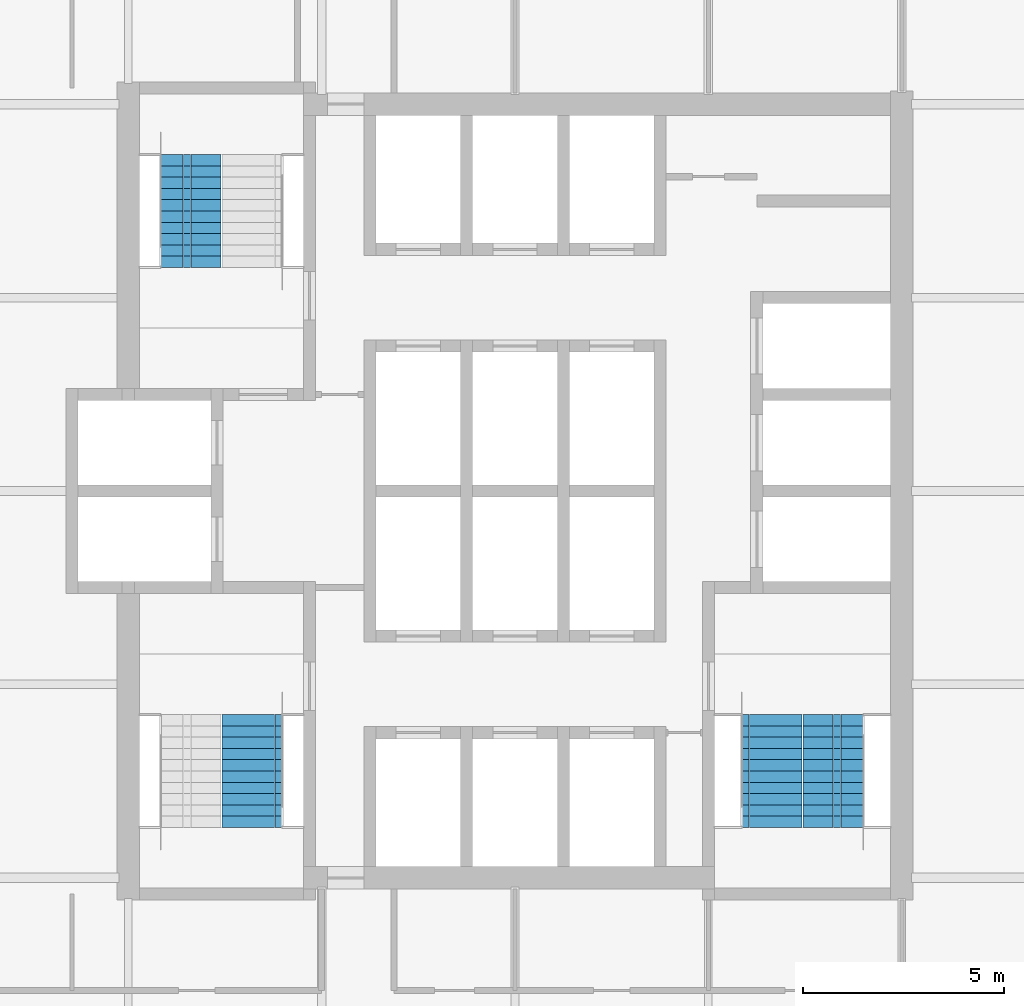
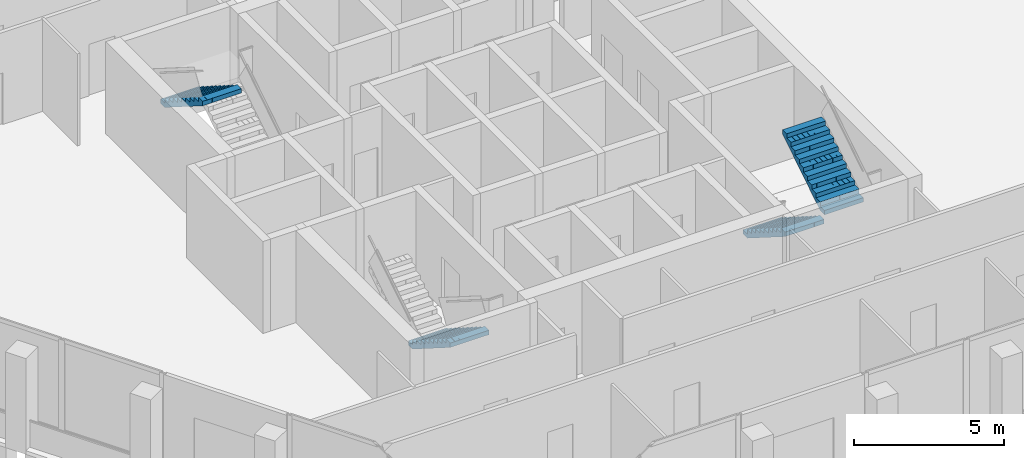
# One storey, part 11 of 14: 4 stair flights, 3 elements without a shape of their own.
"""IFC4 building model written with IfcOpenShell, lengths in metres."""

from ifc_helpers import new_model, si_unit, direction, frame, origin, place, context, subcontext, project, spatial, polyline, outline, extrude, material, type_object, element, aggregate, save


model = new_model("IFC4")

# Units and contexts
model_context = context("Model", 3, precision=1e-05, world=origin(), true_north=direction((0.0, 1.0)))
body_context = subcontext(model_context, "Body", "Model", "MODEL_VIEW")
ifc_project = project(units=[si_unit("LENGTHUNIT", "METRE"), si_unit("AREAUNIT", "SQUARE_METRE"), si_unit("VOLUMEUNIT", "CUBIC_METRE"), si_unit("PLANEANGLEUNIT", "RADIAN"), si_unit("MASSUNIT", "GRAM", prefix="KILO")], contexts=[model_context])

# Site, building, storey
site_placement = place(None, origin())
site = spatial("IfcSite", under=ifc_project, at=site_placement, CompositionType="ELEMENT")
building_placement = place(site_placement, origin())
building = spatial("IfcBuilding", under=site, at=building_placement, Name="Kolab Exchange Tower", CompositionType="ELEMENT")
storey_placement = place(building_placement, frame((0.0, 0.0, 246.199951171875)))
storey = spatial("IfcBuildingStorey", under=building, at=storey_placement, Name="L54", CompositionType="ELEMENT", Elevation=246.199951171875)

# Stair, stair flight
ifc_material = material(Name="Concrete C50/60", Category="concrete")
stair_type_1 = type_object("IfcStairType", Name="STAIR ST1 RISER 177.3", PredefinedType="HALF_TURN_STAIR", material=ifc_material)
stair_1_placement = place(storey_placement, origin())
stair_1 = element("IfcStair", 1, at=stair_1_placement, inside=storey, type_object=stair_type_1, Name="Stair 1", PredefinedType="HALF_TURN_STAIR")
stair_flight_type = type_object("IfcStairFlightType", Name="STAIR FLIGHT 1500 RISER 177.3", PredefinedType="STRAIGHT", material=ifc_material)
stair_flight_1_placement = place(storey_placement, frame((-8.047607421875, 8.35009765625, 1.949951171875), z_axis=(0.0, 0.0, 1.0), x_axis=(0.0, -1.0, 0.0)))
stair_flight_1 = element("IfcStairFlight", 2, at=stair_flight_1_placement, type_object=stair_flight_type, Name="ST1 flight 2", NumberOfRisers=11, NumberOfTreads=10, PredefinedType="STRAIGHT", RiserHeight=0.177272727, TreadLength=0.28, context=body_context, shape_type="SweptSolid", body=[
    extrude(outline(polyline([(0.0, 0.0), (0.0, 0.17724609375), (0.280029296875, 0.17724609375), (0.280029296875, 0.3544921875), (0.56005859375, 0.3544921875), (0.56005859375, 0.53173828125), (0.840087890625, 0.53173828125), (0.840087890625, 0.708984375), (1.1201171875, 0.708984375), (1.1201171875, 0.886474609375), (1.39990234375, 0.886474609375), (1.39990234375, 1.063720703125), (1.679931640625, 1.063720703125), (1.679931640625, 1.240966796875), (1.9599609375, 1.240966796875), (1.9599609375, 1.418212890625), (2.239990234375, 1.418212890625), (2.239990234375, 1.595458984375), (2.52001953125, 1.595458984375), (2.52001953125, 1.772705078125), (2.800048828125, 1.772705078125), (2.800048828125, 1.949951171875), (2.800048828125, 1.59521484375), (0.2802734375, 0.0), (0.0, 0.0)])), frame((0.0, 0.75, 0.0), z_axis=(0.0, -1.0, 0.0), x_axis=(1.0, 0.0, 0.0)), (0.0, 0.0, 1.0), 0.185791015625),
    extrude(outline(polyline([(0.0, 0.0), (0.0, 0.17724609375), (0.280029296875, 0.17724609375), (0.280029296875, 0.3544921875), (0.56005859375, 0.3544921875), (0.56005859375, 0.53173828125), (0.840087890625, 0.53173828125), (0.840087890625, 0.708984375), (1.1201171875, 0.708984375), (1.1201171875, 0.886474609375), (1.39990234375, 0.886474609375), (1.39990234375, 1.063720703125), (1.679931640625, 1.063720703125), (1.679931640625, 1.240966796875), (1.9599609375, 1.240966796875), (1.9599609375, 1.418212890625), (2.239990234375, 1.418212890625), (2.239990234375, 1.595458984375), (2.52001953125, 1.595458984375), (2.52001953125, 1.772705078125), (2.800048828125, 1.772705078125), (2.800048828125, 1.949951171875), (2.800048828125, 1.59521484375), (0.2802734375, 0.0), (0.0, 0.0)])), frame((0.0, 0.562255859375, 0.0), z_axis=(0.0, -1.0, 0.0), x_axis=(1.0, 0.0, 0.0)), (0.0, 0.0, 1.0), 0.185791015625),
    extrude(outline(polyline([(0.0, 0.0), (0.0, 0.17724609375), (0.280029296875, 0.17724609375), (0.280029296875, 0.3544921875), (0.56005859375, 0.3544921875), (0.56005859375, 0.53173828125), (0.840087890625, 0.53173828125), (0.840087890625, 0.708984375), (1.1201171875, 0.708984375), (1.1201171875, 0.886474609375), (1.39990234375, 0.886474609375), (1.39990234375, 1.063720703125), (1.679931640625, 1.063720703125), (1.679931640625, 1.240966796875), (1.9599609375, 1.240966796875), (1.9599609375, 1.418212890625), (2.239990234375, 1.418212890625), (2.239990234375, 1.595458984375), (2.52001953125, 1.595458984375), (2.52001953125, 1.772705078125), (2.800048828125, 1.772705078125), (2.800048828125, 1.949951171875), (2.800048828125, 1.59521484375), (0.2802734375, 0.0), (0.0, 0.0)])), frame((0.0, 0.37451171875, 0.0), z_axis=(0.0, -1.0, 0.0), x_axis=(1.0, 0.0, 0.0)), (0.0, 0.0, 1.0), 0.185791015625),
    extrude(outline(polyline([(0.0, 0.0), (0.0, 0.17724609375), (0.280029296875, 0.17724609375), (0.280029296875, 0.3544921875), (0.56005859375, 0.3544921875), (0.56005859375, 0.53173828125), (0.840087890625, 0.53173828125), (0.840087890625, 0.708984375), (1.1201171875, 0.708984375), (1.1201171875, 0.886474609375), (1.39990234375, 0.886474609375), (1.39990234375, 1.063720703125), (1.679931640625, 1.063720703125), (1.679931640625, 1.240966796875), (1.9599609375, 1.240966796875), (1.9599609375, 1.418212890625), (2.239990234375, 1.418212890625), (2.239990234375, 1.595458984375), (2.52001953125, 1.595458984375), (2.52001953125, 1.772705078125), (2.800048828125, 1.772705078125), (2.800048828125, 1.949951171875), (2.800048828125, 1.59521484375), (0.2802734375, 0.0), (0.0, 0.0)])), frame((0.0, 0.186767578125, 0.0), z_axis=(0.0, -1.0, 0.0), x_axis=(1.0, 0.0, 0.0)), (0.0, 0.0, 1.0), 0.185791015625),
    extrude(outline(polyline([(0.0, 0.0), (0.0, 0.17724609375), (0.280029296875, 0.17724609375), (0.280029296875, 0.3544921875), (0.56005859375, 0.3544921875), (0.56005859375, 0.53173828125), (0.840087890625, 0.53173828125), (0.840087890625, 0.708984375), (1.1201171875, 0.708984375), (1.1201171875, 0.886474609375), (1.39990234375, 0.886474609375), (1.39990234375, 1.063720703125), (1.679931640625, 1.063720703125), (1.679931640625, 1.240966796875), (1.9599609375, 1.240966796875), (1.9599609375, 1.418212890625), (2.239990234375, 1.418212890625), (2.239990234375, 1.595458984375), (2.52001953125, 1.595458984375), (2.52001953125, 1.772705078125), (2.800048828125, 1.772705078125), (2.800048828125, 1.949951171875), (2.800048828125, 1.59521484375), (0.2802734375, 0.0), (0.0, 0.0)])), frame((0.0, -0.0009765625, 0.0), z_axis=(0.0, -1.0, 0.0), x_axis=(1.0, 0.0, 0.0)), (0.0, 0.0, 1.0), 0.185791015625),
    extrude(outline(polyline([(0.0, 0.0), (0.0, 0.17724609375), (0.280029296875, 0.17724609375), (0.280029296875, 0.3544921875), (0.56005859375, 0.3544921875), (0.56005859375, 0.53173828125), (0.840087890625, 0.53173828125), (0.840087890625, 0.708984375), (1.1201171875, 0.708984375), (1.1201171875, 0.886474609375), (1.39990234375, 0.886474609375), (1.39990234375, 1.063720703125), (1.679931640625, 1.063720703125), (1.679931640625, 1.240966796875), (1.9599609375, 1.240966796875), (1.9599609375, 1.418212890625), (2.239990234375, 1.418212890625), (2.239990234375, 1.595458984375), (2.52001953125, 1.595458984375), (2.52001953125, 1.772705078125), (2.800048828125, 1.772705078125), (2.800048828125, 1.949951171875), (2.800048828125, 1.59521484375), (0.2802734375, 0.0), (0.0, 0.0)])), frame((0.0, -0.188720703125, 0.0), z_axis=(0.0, -1.0, 0.0), x_axis=(1.0, 0.0, 0.0)), (0.0, 0.0, 1.0), 0.185791015625),
    extrude(outline(polyline([(0.0, 0.0), (0.0, 0.17724609375), (0.280029296875, 0.17724609375), (0.280029296875, 0.3544921875), (0.56005859375, 0.3544921875), (0.56005859375, 0.53173828125), (0.840087890625, 0.53173828125), (0.840087890625, 0.708984375), (1.1201171875, 0.708984375), (1.1201171875, 0.886474609375), (1.39990234375, 0.886474609375), (1.39990234375, 1.063720703125), (1.679931640625, 1.063720703125), (1.679931640625, 1.240966796875), (1.9599609375, 1.240966796875), (1.9599609375, 1.418212890625), (2.239990234375, 1.418212890625), (2.239990234375, 1.595458984375), (2.52001953125, 1.595458984375), (2.52001953125, 1.772705078125), (2.800048828125, 1.772705078125), (2.800048828125, 1.949951171875), (2.800048828125, 1.59521484375), (0.2802734375, 0.0), (0.0, 0.0)])), frame((0.0, -0.37646484375, 0.0), z_axis=(0.0, -1.0, 0.0), x_axis=(1.0, 0.0, 0.0)), (0.0, 0.0, 1.0), 0.185791015625),
    extrude(outline(polyline([(0.0, 0.0), (0.0, 0.17724609375), (0.280029296875, 0.17724609375), (0.280029296875, 0.3544921875), (0.56005859375, 0.3544921875), (0.56005859375, 0.53173828125), (0.840087890625, 0.53173828125), (0.840087890625, 0.708984375), (1.1201171875, 0.708984375), (1.1201171875, 0.886474609375), (1.39990234375, 0.886474609375), (1.39990234375, 1.063720703125), (1.679931640625, 1.063720703125), (1.679931640625, 1.240966796875), (1.9599609375, 1.240966796875), (1.9599609375, 1.418212890625), (2.239990234375, 1.418212890625), (2.239990234375, 1.595458984375), (2.52001953125, 1.595458984375), (2.52001953125, 1.772705078125), (2.800048828125, 1.772705078125), (2.800048828125, 1.949951171875), (2.800048828125, 1.59521484375), (0.2802734375, 0.0), (0.0, 0.0)])), frame((0.0, -0.564208984375, 0.0), z_axis=(0.0, -1.0, 0.0), x_axis=(1.0, 0.0, 0.0)), (0.0, 0.0, 1.0), 0.185791015625),
])
aggregate(stair_1, [stair_flight_1])

stair_type_2 = type_object("IfcStairType", Name="STAIR ST3 RISER 177.3", PredefinedType="HALF_TURN_STAIR", material=ifc_material)
stair_2_placement = place(storey_placement, origin())
stair_2 = element("IfcStair", 3, at=stair_2_placement, inside=storey, type_object=stair_type_2, Name="Stair 3", PredefinedType="HALF_TURN_STAIR")
stair_flight_2_placement = place(storey_placement, frame((-6.527587890625, -5.550048828125, 0.0), z_axis=(0.0, 0.0, 1.0), x_axis=(0.0, -1.0, 0.0)))
stair_flight_2 = element("IfcStairFlight", 4, at=stair_flight_2_placement, type_object=stair_flight_type, Name="ST3 flight 1", NumberOfRisers=11, NumberOfTreads=10, PredefinedType="STRAIGHT", RiserHeight=0.177272727, TreadLength=0.28, context=body_context, shape_type="SweptSolid", body=[
    extrude(outline(polyline([(0.0, 0.0), (0.0, 0.17724609375), (0.280029296875, 0.17724609375), (0.280029296875, 0.3544921875), (0.56005859375, 0.3544921875), (0.56005859375, 0.53173828125), (0.840087890625, 0.53173828125), (0.840087890625, 0.708984375), (1.1201171875, 0.708984375), (1.1201171875, 0.886474609375), (1.39990234375, 0.886474609375), (1.39990234375, 1.063720703125), (1.679931640625, 1.063720703125), (1.679931640625, 1.240966796875), (1.9599609375, 1.240966796875), (1.9599609375, 1.418212890625), (2.239990234375, 1.418212890625), (2.239990234375, 1.595458984375), (2.52001953125, 1.595458984375), (2.52001953125, 1.772705078125), (2.800048828125, 1.772705078125), (2.800048828125, 1.949951171875), (2.800048828125, 1.59521484375), (0.2802734375, 0.0), (0.0, 0.0)])), frame((0.0, 0.75, 0.0), z_axis=(0.0, -1.0, 0.0), x_axis=(1.0, 0.0, 0.0)), (0.0, 0.0, 1.0), 0.185791015625),
    extrude(outline(polyline([(0.0, 0.0), (0.0, 0.17724609375), (0.280029296875, 0.17724609375), (0.280029296875, 0.3544921875), (0.56005859375, 0.3544921875), (0.56005859375, 0.53173828125), (0.840087890625, 0.53173828125), (0.840087890625, 0.708984375), (1.1201171875, 0.708984375), (1.1201171875, 0.886474609375), (1.39990234375, 0.886474609375), (1.39990234375, 1.063720703125), (1.679931640625, 1.063720703125), (1.679931640625, 1.240966796875), (1.9599609375, 1.240966796875), (1.9599609375, 1.418212890625), (2.239990234375, 1.418212890625), (2.239990234375, 1.595458984375), (2.52001953125, 1.595458984375), (2.52001953125, 1.772705078125), (2.800048828125, 1.772705078125), (2.800048828125, 1.949951171875), (2.800048828125, 1.59521484375), (0.2802734375, 0.0), (0.0, 0.0)])), frame((0.0, 0.562255859375, 0.0), z_axis=(0.0, -1.0, 0.0), x_axis=(1.0, 0.0, 0.0)), (0.0, 0.0, 1.0), 0.185791015625),
    extrude(outline(polyline([(0.0, 0.0), (0.0, 0.17724609375), (0.280029296875, 0.17724609375), (0.280029296875, 0.3544921875), (0.56005859375, 0.3544921875), (0.56005859375, 0.53173828125), (0.840087890625, 0.53173828125), (0.840087890625, 0.708984375), (1.1201171875, 0.708984375), (1.1201171875, 0.886474609375), (1.39990234375, 0.886474609375), (1.39990234375, 1.063720703125), (1.679931640625, 1.063720703125), (1.679931640625, 1.240966796875), (1.9599609375, 1.240966796875), (1.9599609375, 1.418212890625), (2.239990234375, 1.418212890625), (2.239990234375, 1.595458984375), (2.52001953125, 1.595458984375), (2.52001953125, 1.772705078125), (2.800048828125, 1.772705078125), (2.800048828125, 1.949951171875), (2.800048828125, 1.59521484375), (0.2802734375, 0.0), (0.0, 0.0)])), frame((0.0, 0.37451171875, 0.0), z_axis=(0.0, -1.0, 0.0), x_axis=(1.0, 0.0, 0.0)), (0.0, 0.0, 1.0), 0.185791015625),
    extrude(outline(polyline([(0.0, 0.0), (0.0, 0.17724609375), (0.280029296875, 0.17724609375), (0.280029296875, 0.3544921875), (0.56005859375, 0.3544921875), (0.56005859375, 0.53173828125), (0.840087890625, 0.53173828125), (0.840087890625, 0.708984375), (1.1201171875, 0.708984375), (1.1201171875, 0.886474609375), (1.39990234375, 0.886474609375), (1.39990234375, 1.063720703125), (1.679931640625, 1.063720703125), (1.679931640625, 1.240966796875), (1.9599609375, 1.240966796875), (1.9599609375, 1.418212890625), (2.239990234375, 1.418212890625), (2.239990234375, 1.595458984375), (2.52001953125, 1.595458984375), (2.52001953125, 1.772705078125), (2.800048828125, 1.772705078125), (2.800048828125, 1.949951171875), (2.800048828125, 1.59521484375), (0.2802734375, 0.0), (0.0, 0.0)])), frame((0.0, 0.186767578125, 0.0), z_axis=(0.0, -1.0, 0.0), x_axis=(1.0, 0.0, 0.0)), (0.0, 0.0, 1.0), 0.185791015625),
    extrude(outline(polyline([(0.0, 0.0), (0.0, 0.17724609375), (0.280029296875, 0.17724609375), (0.280029296875, 0.3544921875), (0.56005859375, 0.3544921875), (0.56005859375, 0.53173828125), (0.840087890625, 0.53173828125), (0.840087890625, 0.708984375), (1.1201171875, 0.708984375), (1.1201171875, 0.886474609375), (1.39990234375, 0.886474609375), (1.39990234375, 1.063720703125), (1.679931640625, 1.063720703125), (1.679931640625, 1.240966796875), (1.9599609375, 1.240966796875), (1.9599609375, 1.418212890625), (2.239990234375, 1.418212890625), (2.239990234375, 1.595458984375), (2.52001953125, 1.595458984375), (2.52001953125, 1.772705078125), (2.800048828125, 1.772705078125), (2.800048828125, 1.949951171875), (2.800048828125, 1.59521484375), (0.2802734375, 0.0), (0.0, 0.0)])), frame((0.0, -0.0009765625, 0.0), z_axis=(0.0, -1.0, 0.0), x_axis=(1.0, 0.0, 0.0)), (0.0, 0.0, 1.0), 0.185791015625),
    extrude(outline(polyline([(0.0, 0.0), (0.0, 0.17724609375), (0.280029296875, 0.17724609375), (0.280029296875, 0.3544921875), (0.56005859375, 0.3544921875), (0.56005859375, 0.53173828125), (0.840087890625, 0.53173828125), (0.840087890625, 0.708984375), (1.1201171875, 0.708984375), (1.1201171875, 0.886474609375), (1.39990234375, 0.886474609375), (1.39990234375, 1.063720703125), (1.679931640625, 1.063720703125), (1.679931640625, 1.240966796875), (1.9599609375, 1.240966796875), (1.9599609375, 1.418212890625), (2.239990234375, 1.418212890625), (2.239990234375, 1.595458984375), (2.52001953125, 1.595458984375), (2.52001953125, 1.772705078125), (2.800048828125, 1.772705078125), (2.800048828125, 1.949951171875), (2.800048828125, 1.59521484375), (0.2802734375, 0.0), (0.0, 0.0)])), frame((0.0, -0.188720703125, 0.0), z_axis=(0.0, -1.0, 0.0), x_axis=(1.0, 0.0, 0.0)), (0.0, 0.0, 1.0), 0.185791015625),
    extrude(outline(polyline([(0.0, 0.0), (0.0, 0.17724609375), (0.280029296875, 0.17724609375), (0.280029296875, 0.3544921875), (0.56005859375, 0.3544921875), (0.56005859375, 0.53173828125), (0.840087890625, 0.53173828125), (0.840087890625, 0.708984375), (1.1201171875, 0.708984375), (1.1201171875, 0.886474609375), (1.39990234375, 0.886474609375), (1.39990234375, 1.063720703125), (1.679931640625, 1.063720703125), (1.679931640625, 1.240966796875), (1.9599609375, 1.240966796875), (1.9599609375, 1.418212890625), (2.239990234375, 1.418212890625), (2.239990234375, 1.595458984375), (2.52001953125, 1.595458984375), (2.52001953125, 1.772705078125), (2.800048828125, 1.772705078125), (2.800048828125, 1.949951171875), (2.800048828125, 1.59521484375), (0.2802734375, 0.0), (0.0, 0.0)])), frame((0.0, -0.37646484375, 0.0), z_axis=(0.0, -1.0, 0.0), x_axis=(1.0, 0.0, 0.0)), (0.0, 0.0, 1.0), 0.185791015625),
    extrude(outline(polyline([(0.0, 0.0), (0.0, 0.17724609375), (0.280029296875, 0.17724609375), (0.280029296875, 0.3544921875), (0.56005859375, 0.3544921875), (0.56005859375, 0.53173828125), (0.840087890625, 0.53173828125), (0.840087890625, 0.708984375), (1.1201171875, 0.708984375), (1.1201171875, 0.886474609375), (1.39990234375, 0.886474609375), (1.39990234375, 1.063720703125), (1.679931640625, 1.063720703125), (1.679931640625, 1.240966796875), (1.9599609375, 1.240966796875), (1.9599609375, 1.418212890625), (2.239990234375, 1.418212890625), (2.239990234375, 1.595458984375), (2.52001953125, 1.595458984375), (2.52001953125, 1.772705078125), (2.800048828125, 1.772705078125), (2.800048828125, 1.949951171875), (2.800048828125, 1.59521484375), (0.2802734375, 0.0), (0.0, 0.0)])), frame((0.0, -0.564208984375, 0.0), z_axis=(0.0, -1.0, 0.0), x_axis=(1.0, 0.0, 0.0)), (0.0, 0.0, 1.0), 0.185791015625),
])
aggregate(stair_2, [stair_flight_2])

# Stair, stair flights
stair_type_3 = type_object("IfcStairType", Name="STAIR ST2 RISER 177.3", PredefinedType="HALF_TURN_STAIR", material=ifc_material)
stair_3_placement = place(storey_placement, origin())
stair_3 = element("IfcStair", 5, at=stair_3_placement, inside=storey, type_object=stair_type_3, Name="Stair 2", PredefinedType="HALF_TURN_STAIR")
stair_flight_3_placement = place(storey_placement, frame((6.37744140625, -5.550048828125, 0.0), z_axis=(0.0, 0.0, 1.0), x_axis=(0.0, -1.0, 0.0)))
stair_flight_3 = element("IfcStairFlight", 6, at=stair_flight_3_placement, type_object=stair_flight_type, Name="ST2 flight 1", NumberOfRisers=11, NumberOfTreads=10, PredefinedType="STRAIGHT", RiserHeight=0.177272727, TreadLength=0.28, context=body_context, shape_type="SweptSolid", body=[
    extrude(outline(polyline([(0.0, 0.0), (0.0, 0.17724609375), (0.280029296875, 0.17724609375), (0.280029296875, 0.3544921875), (0.56005859375, 0.3544921875), (0.56005859375, 0.53173828125), (0.840087890625, 0.53173828125), (0.840087890625, 0.708984375), (1.1201171875, 0.708984375), (1.1201171875, 0.886474609375), (1.39990234375, 0.886474609375), (1.39990234375, 1.063720703125), (1.679931640625, 1.063720703125), (1.679931640625, 1.240966796875), (1.9599609375, 1.240966796875), (1.9599609375, 1.418212890625), (2.239990234375, 1.418212890625), (2.239990234375, 1.595458984375), (2.52001953125, 1.595458984375), (2.52001953125, 1.772705078125), (2.800048828125, 1.772705078125), (2.800048828125, 1.949951171875), (2.800048828125, 1.59521484375), (0.2802734375, 0.0), (0.0, 0.0)])), frame((0.0, 0.75, 0.0), z_axis=(0.0, -1.0, 0.0), x_axis=(1.0, 0.0, 0.0)), (0.0, 0.0, 1.0), 0.185791015625),
    extrude(outline(polyline([(0.0, 0.0), (0.0, 0.17724609375), (0.280029296875, 0.17724609375), (0.280029296875, 0.3544921875), (0.56005859375, 0.3544921875), (0.56005859375, 0.53173828125), (0.840087890625, 0.53173828125), (0.840087890625, 0.708984375), (1.1201171875, 0.708984375), (1.1201171875, 0.886474609375), (1.39990234375, 0.886474609375), (1.39990234375, 1.063720703125), (1.679931640625, 1.063720703125), (1.679931640625, 1.240966796875), (1.9599609375, 1.240966796875), (1.9599609375, 1.418212890625), (2.239990234375, 1.418212890625), (2.239990234375, 1.595458984375), (2.52001953125, 1.595458984375), (2.52001953125, 1.772705078125), (2.800048828125, 1.772705078125), (2.800048828125, 1.949951171875), (2.800048828125, 1.59521484375), (0.2802734375, 0.0), (0.0, 0.0)])), frame((0.0, 0.562255859375, 0.0), z_axis=(0.0, -1.0, 0.0), x_axis=(1.0, 0.0, 0.0)), (0.0, 0.0, 1.0), 0.185791015625),
    extrude(outline(polyline([(0.0, 0.0), (0.0, 0.17724609375), (0.280029296875, 0.17724609375), (0.280029296875, 0.3544921875), (0.56005859375, 0.3544921875), (0.56005859375, 0.53173828125), (0.840087890625, 0.53173828125), (0.840087890625, 0.708984375), (1.1201171875, 0.708984375), (1.1201171875, 0.886474609375), (1.39990234375, 0.886474609375), (1.39990234375, 1.063720703125), (1.679931640625, 1.063720703125), (1.679931640625, 1.240966796875), (1.9599609375, 1.240966796875), (1.9599609375, 1.418212890625), (2.239990234375, 1.418212890625), (2.239990234375, 1.595458984375), (2.52001953125, 1.595458984375), (2.52001953125, 1.772705078125), (2.800048828125, 1.772705078125), (2.800048828125, 1.949951171875), (2.800048828125, 1.59521484375), (0.2802734375, 0.0), (0.0, 0.0)])), frame((0.0, 0.37451171875, 0.0), z_axis=(0.0, -1.0, 0.0), x_axis=(1.0, 0.0, 0.0)), (0.0, 0.0, 1.0), 0.185791015625),
    extrude(outline(polyline([(0.0, 0.0), (0.0, 0.17724609375), (0.280029296875, 0.17724609375), (0.280029296875, 0.3544921875), (0.56005859375, 0.3544921875), (0.56005859375, 0.53173828125), (0.840087890625, 0.53173828125), (0.840087890625, 0.708984375), (1.1201171875, 0.708984375), (1.1201171875, 0.886474609375), (1.39990234375, 0.886474609375), (1.39990234375, 1.063720703125), (1.679931640625, 1.063720703125), (1.679931640625, 1.240966796875), (1.9599609375, 1.240966796875), (1.9599609375, 1.418212890625), (2.239990234375, 1.418212890625), (2.239990234375, 1.595458984375), (2.52001953125, 1.595458984375), (2.52001953125, 1.772705078125), (2.800048828125, 1.772705078125), (2.800048828125, 1.949951171875), (2.800048828125, 1.59521484375), (0.2802734375, 0.0), (0.0, 0.0)])), frame((0.0, 0.186767578125, 0.0), z_axis=(0.0, -1.0, 0.0), x_axis=(1.0, 0.0, 0.0)), (0.0, 0.0, 1.0), 0.185791015625),
    extrude(outline(polyline([(0.0, 0.0), (0.0, 0.17724609375), (0.280029296875, 0.17724609375), (0.280029296875, 0.3544921875), (0.56005859375, 0.3544921875), (0.56005859375, 0.53173828125), (0.840087890625, 0.53173828125), (0.840087890625, 0.708984375), (1.1201171875, 0.708984375), (1.1201171875, 0.886474609375), (1.39990234375, 0.886474609375), (1.39990234375, 1.063720703125), (1.679931640625, 1.063720703125), (1.679931640625, 1.240966796875), (1.9599609375, 1.240966796875), (1.9599609375, 1.418212890625), (2.239990234375, 1.418212890625), (2.239990234375, 1.595458984375), (2.52001953125, 1.595458984375), (2.52001953125, 1.772705078125), (2.800048828125, 1.772705078125), (2.800048828125, 1.949951171875), (2.800048828125, 1.59521484375), (0.2802734375, 0.0), (0.0, 0.0)])), frame((0.0, -0.0009765625, 0.0), z_axis=(0.0, -1.0, 0.0), x_axis=(1.0, 0.0, 0.0)), (0.0, 0.0, 1.0), 0.185791015625),
    extrude(outline(polyline([(0.0, 0.0), (0.0, 0.17724609375), (0.280029296875, 0.17724609375), (0.280029296875, 0.3544921875), (0.56005859375, 0.3544921875), (0.56005859375, 0.53173828125), (0.840087890625, 0.53173828125), (0.840087890625, 0.708984375), (1.1201171875, 0.708984375), (1.1201171875, 0.886474609375), (1.39990234375, 0.886474609375), (1.39990234375, 1.063720703125), (1.679931640625, 1.063720703125), (1.679931640625, 1.240966796875), (1.9599609375, 1.240966796875), (1.9599609375, 1.418212890625), (2.239990234375, 1.418212890625), (2.239990234375, 1.595458984375), (2.52001953125, 1.595458984375), (2.52001953125, 1.772705078125), (2.800048828125, 1.772705078125), (2.800048828125, 1.949951171875), (2.800048828125, 1.59521484375), (0.2802734375, 0.0), (0.0, 0.0)])), frame((0.0, -0.188720703125, 0.0), z_axis=(0.0, -1.0, 0.0), x_axis=(1.0, 0.0, 0.0)), (0.0, 0.0, 1.0), 0.185791015625),
    extrude(outline(polyline([(0.0, 0.0), (0.0, 0.17724609375), (0.280029296875, 0.17724609375), (0.280029296875, 0.3544921875), (0.56005859375, 0.3544921875), (0.56005859375, 0.53173828125), (0.840087890625, 0.53173828125), (0.840087890625, 0.708984375), (1.1201171875, 0.708984375), (1.1201171875, 0.886474609375), (1.39990234375, 0.886474609375), (1.39990234375, 1.063720703125), (1.679931640625, 1.063720703125), (1.679931640625, 1.240966796875), (1.9599609375, 1.240966796875), (1.9599609375, 1.418212890625), (2.239990234375, 1.418212890625), (2.239990234375, 1.595458984375), (2.52001953125, 1.595458984375), (2.52001953125, 1.772705078125), (2.800048828125, 1.772705078125), (2.800048828125, 1.949951171875), (2.800048828125, 1.59521484375), (0.2802734375, 0.0), (0.0, 0.0)])), frame((0.0, -0.37646484375, 0.0), z_axis=(0.0, -1.0, 0.0), x_axis=(1.0, 0.0, 0.0)), (0.0, 0.0, 1.0), 0.185791015625),
    extrude(outline(polyline([(0.0, 0.0), (0.0, 0.17724609375), (0.280029296875, 0.17724609375), (0.280029296875, 0.3544921875), (0.56005859375, 0.3544921875), (0.56005859375, 0.53173828125), (0.840087890625, 0.53173828125), (0.840087890625, 0.708984375), (1.1201171875, 0.708984375), (1.1201171875, 0.886474609375), (1.39990234375, 0.886474609375), (1.39990234375, 1.063720703125), (1.679931640625, 1.063720703125), (1.679931640625, 1.240966796875), (1.9599609375, 1.240966796875), (1.9599609375, 1.418212890625), (2.239990234375, 1.418212890625), (2.239990234375, 1.595458984375), (2.52001953125, 1.595458984375), (2.52001953125, 1.772705078125), (2.800048828125, 1.772705078125), (2.800048828125, 1.949951171875), (2.800048828125, 1.59521484375), (0.2802734375, 0.0), (0.0, 0.0)])), frame((0.0, -0.564208984375, 0.0), z_axis=(0.0, -1.0, 0.0), x_axis=(1.0, 0.0, 0.0)), (0.0, 0.0, 1.0), 0.185791015625),
])
stair_flight_4_placement = place(storey_placement, frame((7.8974609375, -8.35009765625, 1.949951171875), z_axis=(0.0, 0.0, 1.0), x_axis=(0.0, 1.0, 0.0)))
stair_flight_4 = element("IfcStairFlight", 7, at=stair_flight_4_placement, type_object=stair_flight_type, Name="ST2 flight 2", NumberOfRisers=11, NumberOfTreads=10, PredefinedType="STRAIGHT", RiserHeight=0.177272727, TreadLength=0.28, context=body_context, shape_type="SweptSolid", body=[
    extrude(outline(polyline([(0.0, 0.0), (0.0, 0.17724609375), (0.280029296875, 0.17724609375), (0.280029296875, 0.3544921875), (0.56005859375, 0.3544921875), (0.56005859375, 0.53173828125), (0.840087890625, 0.53173828125), (0.840087890625, 0.708984375), (1.1201171875, 0.708984375), (1.1201171875, 0.886474609375), (1.39990234375, 0.886474609375), (1.39990234375, 1.063720703125), (1.679931640625, 1.063720703125), (1.679931640625, 1.240966796875), (1.9599609375, 1.240966796875), (1.9599609375, 1.418212890625), (2.239990234375, 1.418212890625), (2.239990234375, 1.595458984375), (2.52001953125, 1.595458984375), (2.52001953125, 1.772705078125), (2.800048828125, 1.772705078125), (2.800048828125, 1.949951171875), (2.800048828125, 1.59521484375), (0.2802734375, 0.0), (0.0, 0.0)])), frame((0.0, 0.75, 0.0), z_axis=(0.0, -1.0, 0.0), x_axis=(1.0, 0.0, 0.0)), (0.0, 0.0, 1.0), 0.185791015625),
    extrude(outline(polyline([(0.0, 0.0), (0.0, 0.17724609375), (0.280029296875, 0.17724609375), (0.280029296875, 0.3544921875), (0.56005859375, 0.3544921875), (0.56005859375, 0.53173828125), (0.840087890625, 0.53173828125), (0.840087890625, 0.708984375), (1.1201171875, 0.708984375), (1.1201171875, 0.886474609375), (1.39990234375, 0.886474609375), (1.39990234375, 1.063720703125), (1.679931640625, 1.063720703125), (1.679931640625, 1.240966796875), (1.9599609375, 1.240966796875), (1.9599609375, 1.418212890625), (2.239990234375, 1.418212890625), (2.239990234375, 1.595458984375), (2.52001953125, 1.595458984375), (2.52001953125, 1.772705078125), (2.800048828125, 1.772705078125), (2.800048828125, 1.949951171875), (2.800048828125, 1.59521484375), (0.2802734375, 0.0), (0.0, 0.0)])), frame((0.0, 0.562255859375, 0.0), z_axis=(0.0, -1.0, 0.0), x_axis=(1.0, 0.0, 0.0)), (0.0, 0.0, 1.0), 0.185791015625),
    extrude(outline(polyline([(0.0, 0.0), (0.0, 0.17724609375), (0.280029296875, 0.17724609375), (0.280029296875, 0.3544921875), (0.56005859375, 0.3544921875), (0.56005859375, 0.53173828125), (0.840087890625, 0.53173828125), (0.840087890625, 0.708984375), (1.1201171875, 0.708984375), (1.1201171875, 0.886474609375), (1.39990234375, 0.886474609375), (1.39990234375, 1.063720703125), (1.679931640625, 1.063720703125), (1.679931640625, 1.240966796875), (1.9599609375, 1.240966796875), (1.9599609375, 1.418212890625), (2.239990234375, 1.418212890625), (2.239990234375, 1.595458984375), (2.52001953125, 1.595458984375), (2.52001953125, 1.772705078125), (2.800048828125, 1.772705078125), (2.800048828125, 1.949951171875), (2.800048828125, 1.59521484375), (0.2802734375, 0.0), (0.0, 0.0)])), frame((0.0, 0.37451171875, 0.0), z_axis=(0.0, -1.0, 0.0), x_axis=(1.0, 0.0, 0.0)), (0.0, 0.0, 1.0), 0.185791015625),
    extrude(outline(polyline([(0.0, 0.0), (0.0, 0.17724609375), (0.280029296875, 0.17724609375), (0.280029296875, 0.3544921875), (0.56005859375, 0.3544921875), (0.56005859375, 0.53173828125), (0.840087890625, 0.53173828125), (0.840087890625, 0.708984375), (1.1201171875, 0.708984375), (1.1201171875, 0.886474609375), (1.39990234375, 0.886474609375), (1.39990234375, 1.063720703125), (1.679931640625, 1.063720703125), (1.679931640625, 1.240966796875), (1.9599609375, 1.240966796875), (1.9599609375, 1.418212890625), (2.239990234375, 1.418212890625), (2.239990234375, 1.595458984375), (2.52001953125, 1.595458984375), (2.52001953125, 1.772705078125), (2.800048828125, 1.772705078125), (2.800048828125, 1.949951171875), (2.800048828125, 1.59521484375), (0.2802734375, 0.0), (0.0, 0.0)])), frame((0.0, 0.186767578125, 0.0), z_axis=(0.0, -1.0, 0.0), x_axis=(1.0, 0.0, 0.0)), (0.0, 0.0, 1.0), 0.185791015625),
    extrude(outline(polyline([(0.0, 0.0), (0.0, 0.17724609375), (0.280029296875, 0.17724609375), (0.280029296875, 0.3544921875), (0.56005859375, 0.3544921875), (0.56005859375, 0.53173828125), (0.840087890625, 0.53173828125), (0.840087890625, 0.708984375), (1.1201171875, 0.708984375), (1.1201171875, 0.886474609375), (1.39990234375, 0.886474609375), (1.39990234375, 1.063720703125), (1.679931640625, 1.063720703125), (1.679931640625, 1.240966796875), (1.9599609375, 1.240966796875), (1.9599609375, 1.418212890625), (2.239990234375, 1.418212890625), (2.239990234375, 1.595458984375), (2.52001953125, 1.595458984375), (2.52001953125, 1.772705078125), (2.800048828125, 1.772705078125), (2.800048828125, 1.949951171875), (2.800048828125, 1.59521484375), (0.2802734375, 0.0), (0.0, 0.0)])), frame((0.0, -0.0009765625, 0.0), z_axis=(0.0, -1.0, 0.0), x_axis=(1.0, 0.0, 0.0)), (0.0, 0.0, 1.0), 0.185791015625),
    extrude(outline(polyline([(0.0, 0.0), (0.0, 0.17724609375), (0.280029296875, 0.17724609375), (0.280029296875, 0.3544921875), (0.56005859375, 0.3544921875), (0.56005859375, 0.53173828125), (0.840087890625, 0.53173828125), (0.840087890625, 0.708984375), (1.1201171875, 0.708984375), (1.1201171875, 0.886474609375), (1.39990234375, 0.886474609375), (1.39990234375, 1.063720703125), (1.679931640625, 1.063720703125), (1.679931640625, 1.240966796875), (1.9599609375, 1.240966796875), (1.9599609375, 1.418212890625), (2.239990234375, 1.418212890625), (2.239990234375, 1.595458984375), (2.52001953125, 1.595458984375), (2.52001953125, 1.772705078125), (2.800048828125, 1.772705078125), (2.800048828125, 1.949951171875), (2.800048828125, 1.59521484375), (0.2802734375, 0.0), (0.0, 0.0)])), frame((0.0, -0.188720703125, 0.0), z_axis=(0.0, -1.0, 0.0), x_axis=(1.0, 0.0, 0.0)), (0.0, 0.0, 1.0), 0.185791015625),
    extrude(outline(polyline([(0.0, 0.0), (0.0, 0.17724609375), (0.280029296875, 0.17724609375), (0.280029296875, 0.3544921875), (0.56005859375, 0.3544921875), (0.56005859375, 0.53173828125), (0.840087890625, 0.53173828125), (0.840087890625, 0.708984375), (1.1201171875, 0.708984375), (1.1201171875, 0.886474609375), (1.39990234375, 0.886474609375), (1.39990234375, 1.063720703125), (1.679931640625, 1.063720703125), (1.679931640625, 1.240966796875), (1.9599609375, 1.240966796875), (1.9599609375, 1.418212890625), (2.239990234375, 1.418212890625), (2.239990234375, 1.595458984375), (2.52001953125, 1.595458984375), (2.52001953125, 1.772705078125), (2.800048828125, 1.772705078125), (2.800048828125, 1.949951171875), (2.800048828125, 1.59521484375), (0.2802734375, 0.0), (0.0, 0.0)])), frame((0.0, -0.37646484375, 0.0), z_axis=(0.0, -1.0, 0.0), x_axis=(1.0, 0.0, 0.0)), (0.0, 0.0, 1.0), 0.185791015625),
    extrude(outline(polyline([(0.0, 0.0), (0.0, 0.17724609375), (0.280029296875, 0.17724609375), (0.280029296875, 0.3544921875), (0.56005859375, 0.3544921875), (0.56005859375, 0.53173828125), (0.840087890625, 0.53173828125), (0.840087890625, 0.708984375), (1.1201171875, 0.708984375), (1.1201171875, 0.886474609375), (1.39990234375, 0.886474609375), (1.39990234375, 1.063720703125), (1.679931640625, 1.063720703125), (1.679931640625, 1.240966796875), (1.9599609375, 1.240966796875), (1.9599609375, 1.418212890625), (2.239990234375, 1.418212890625), (2.239990234375, 1.595458984375), (2.52001953125, 1.595458984375), (2.52001953125, 1.772705078125), (2.800048828125, 1.772705078125), (2.800048828125, 1.949951171875), (2.800048828125, 1.59521484375), (0.2802734375, 0.0), (0.0, 0.0)])), frame((0.0, -0.564208984375, 0.0), z_axis=(0.0, -1.0, 0.0), x_axis=(1.0, 0.0, 0.0)), (0.0, 0.0, 1.0), 0.185791015625),
])
aggregate(stair_3, [stair_flight_3, stair_flight_4])

save(model, "model.ifc")
